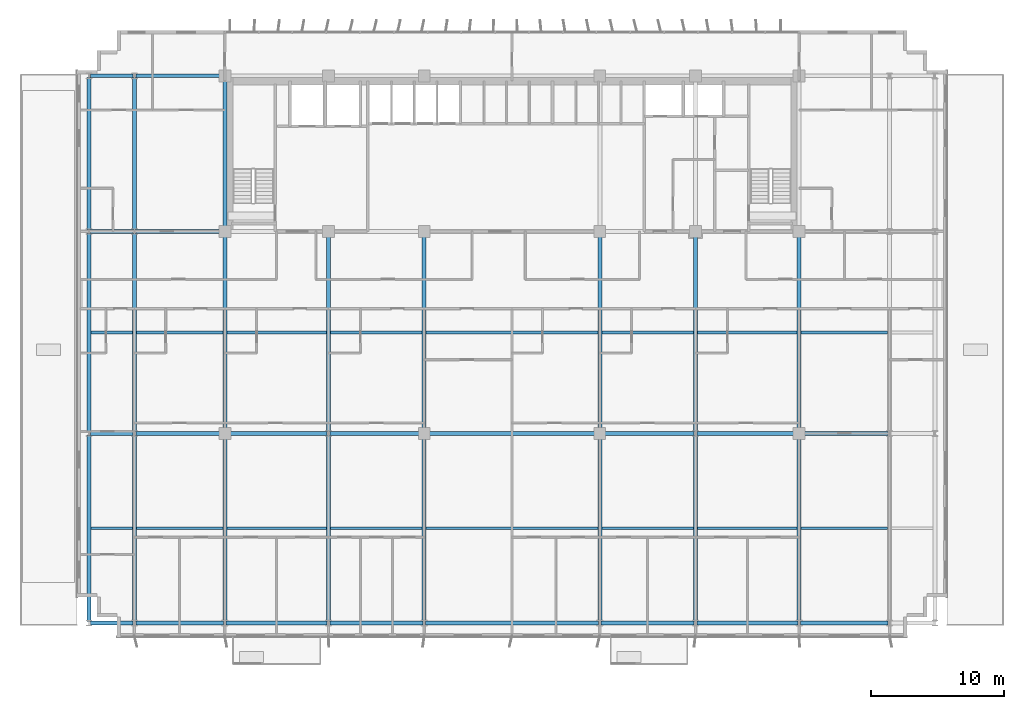
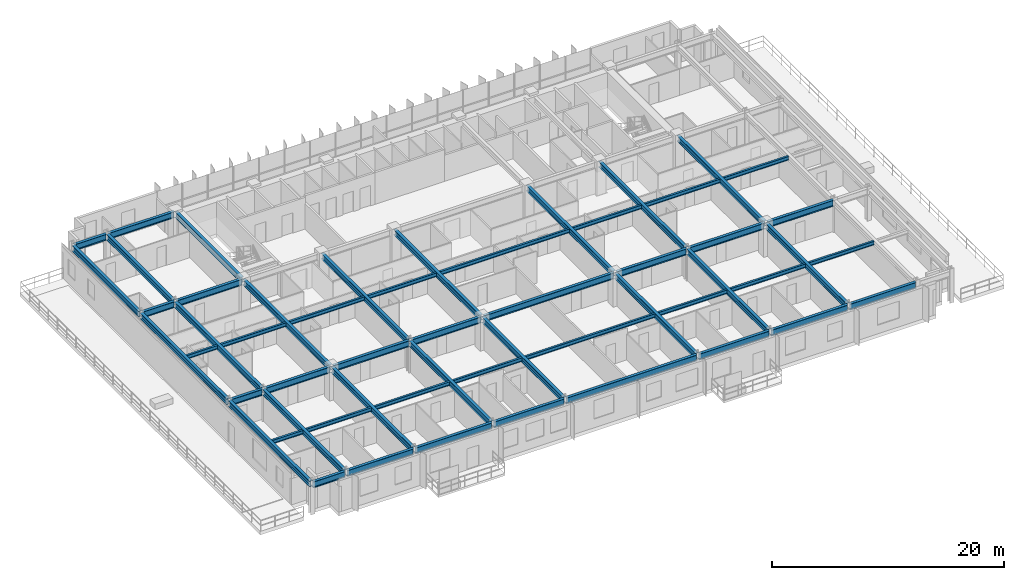
# One storey, part 3 of 26: 55 beams.
"""IFC4 building model written with IfcOpenShell, lengths in metres."""

from ifc_helpers import new_model, si_unit, direction, frame, origin, origin_2d, place, context, subcontext, project, spatial, i_section, extrude, source, transform, mapped, material, material_profile, profile_set, type_object, element, save


model = new_model("IFC4")

# Units and contexts
model_context = context("Model", 3, precision=1e-05, world=origin(), true_north=direction((0.0, 1.0)))
body_context = subcontext(model_context, "Body", "Model", "MODEL_VIEW")
ifc_project = project(units=[si_unit("LENGTHUNIT", "METRE"), si_unit("AREAUNIT", "SQUARE_METRE"), si_unit("VOLUMEUNIT", "CUBIC_METRE"), si_unit("PLANEANGLEUNIT", "RADIAN"), si_unit("MASSUNIT", "GRAM", prefix="KILO")], contexts=[model_context])

# Site, building, storey
site_placement = place(None, origin())
site = spatial("IfcSite", under=ifc_project, at=site_placement, CompositionType="ELEMENT")
building_placement = place(site_placement, origin())
building = spatial("IfcBuilding", under=site, at=building_placement, Name="Trelvane Seafront Commons", CompositionType="ELEMENT")
storey_placement = place(building_placement, frame((0.0, 0.0, 23.5)))
storey = spatial("IfcBuildingStorey", under=building, at=storey_placement, Name="L05", CompositionType="ELEMENT", Elevation=23.5)

# Beams
ifc_material = material(Name="Steel SM355 (S355)", Category="steel")
ifc_material_profile_1 = material_profile(ifc_material, i_section(OverallWidth=0.280029296875, OverallDepth=0.64990234375, WebThickness=0.012939453125, FlangeThickness=0.02197265625, at=origin_2d()), Name="H-650x280x13x22")
ifc_profile_set_1 = profile_set([ifc_material_profile_1], Name="Steel SM355 (S355)")
beam_type_1 = type_object("IfcBeamType", Name="STR-BM-H650", PredefinedType="BEAM", material=ifc_profile_set_1)
shared_shape_1 = source(origin(), body_context, "Body", "SweptSolid", [
    extrude(i_section(OverallWidth=0.280029296875, OverallDepth=0.64990234375, WebThickness=0.012939453125, FlangeThickness=0.02197265625, at=origin_2d()), origin(), (0.0, 0.0, 1.0), 3.190185546875),
])
for number, where, z_axis, x_axis, name in (
    (1, (5.5048828125, 3.949951171875, 3.014892578125), (1.0, 0.0, 0.0), (0.0, 1.0, 0.0), "L05 Primary Girder G-01"),
    (2, (5.5048828125, 18.199951171875, 3.014892578125), (1.0, 0.0, 0.0), (0.0, 1.0, 0.0), "L05 Primary Girder G-10"),
    (3, (5.5048828125, 33.39990234375, 3.014892578125), (1.0, 0.0, 0.0), (0.0, 1.0, 0.0), "L05 Primary Girder G-19"),
    (4, (5.5048828125, 45.10009765625, 3.014892578125), (1.0, 0.0, 0.0), (0.0, 1.0, 0.0), "L05 Primary Girder G-28"),
):
    element("IfcBeam", number, at=place(storey_placement, frame(where, z_axis=z_axis, x_axis=x_axis)), inside=storey, type_object=beam_type_1, Name=name, PredefinedType="BEAM", context=body_context, shape_type="MappedRepresentation", body=[
        mapped(shared_shape_1, transform((0.0, 0.0, 0.0), x_axis=(1.0, 0.0, 0.0), y_axis=(0.0, 1.0, 0.0), z_axis=(0.0, 0.0, 1.0), scale=1.0)),
    ])
shared_shape_2 = source(origin(), body_context, "Body", "SweptSolid", [
    extrude(i_section(OverallWidth=0.280029296875, OverallDepth=0.64990234375, WebThickness=0.012939453125, FlangeThickness=0.02197265625, at=origin_2d()), origin(), (0.0, 0.0, 1.0), 6.590087890625),
])
for number, where, z_axis, x_axis, name in (
    (5, (8.905029296875, 3.949951171875, 3.014892578125), (1.0, 0.0, 0.0), (0.0, 1.0, 0.0), "L05 Primary Girder G-02"),
    (6, (58.905029296875, 3.949951171875, 3.014892578125), (1.0, 0.0, 0.0), (0.0, 1.0, 0.0), "L05 Primary Girder G-08"),
):
    element("IfcBeam", number, at=place(storey_placement, frame(where, z_axis=z_axis, x_axis=x_axis)), inside=storey, type_object=beam_type_1, Name=name, PredefinedType="BEAM", context=body_context, shape_type="MappedRepresentation", body=[
        mapped(shared_shape_2, transform((0.0, 0.0, 0.0), x_axis=(1.0, 0.0, 0.0), y_axis=(0.0, 1.0, 0.0), z_axis=(0.0, 0.0, 1.0), scale=1.0)),
    ])
shared_shape_3 = source(origin(), body_context, "Body", "SweptSolid", [
    extrude(i_section(OverallWidth=0.280029296875, OverallDepth=0.64990234375, WebThickness=0.012939453125, FlangeThickness=0.02197265625, at=origin_2d()), origin(), (0.0, 0.0, 1.0), 7.58984375),
])
beam_1_placement = place(storey_placement, frame((15.705078125, 3.949951171875, 3.014892578125), z_axis=(1.0, 0.0, 0.0), x_axis=(0.0, 1.0, 0.0)))
element("IfcBeam", 7, at=beam_1_placement, inside=storey, type_object=beam_type_1, Name="L05 Primary Girder G-03", PredefinedType="BEAM", context=body_context, shape_type="MappedRepresentation", body=[
    mapped(shared_shape_3, transform((0.0, 0.0, 0.0), x_axis=(1.0, 0.0, 0.0), y_axis=(0.0, 1.0, 0.0), z_axis=(0.0, 0.0, 1.0), scale=1.0)),
])
shared_shape_4 = source(origin(), body_context, "Body", "SweptSolid", [
    extrude(i_section(OverallWidth=0.280029296875, OverallDepth=0.64990234375, WebThickness=0.012939453125, FlangeThickness=0.02197265625, at=origin_2d()), origin(), (0.0, 0.0, 1.0), 6.990234375),
])
beam_2_placement = place(storey_placement, frame((23.5048828125, 3.949951171875, 3.014892578125), z_axis=(1.0, 0.0, 0.0), x_axis=(0.0, 1.0, 0.0)))
element("IfcBeam", 8, at=beam_2_placement, inside=storey, type_object=beam_type_1, Name="L05 Primary Girder G-04", PredefinedType="BEAM", context=body_context, shape_type="MappedRepresentation", body=[
    mapped(shared_shape_4, transform((0.0, 0.0, 0.0), x_axis=(1.0, 0.0, 0.0), y_axis=(0.0, 1.0, 0.0), z_axis=(0.0, 0.0, 1.0), scale=1.0)),
])
shared_shape_5 = source(origin(), body_context, "Body", "SweptSolid", [
    extrude(i_section(OverallWidth=0.280029296875, OverallDepth=0.64990234375, WebThickness=0.012939453125, FlangeThickness=0.02197265625, at=origin_2d()), origin(), (0.0, 0.0, 1.0), 12.989990234375),
])
beam_3_placement = place(storey_placement, frame((30.705078125, 3.949951171875, 3.014892578125), z_axis=(1.0, 0.0, 0.0), x_axis=(0.0, 1.0, 0.0)))
element("IfcBeam", 9, at=beam_3_placement, inside=storey, type_object=beam_type_1, Name="L05 Primary Girder G-05", PredefinedType="BEAM", context=body_context, shape_type="MappedRepresentation", body=[
    mapped(shared_shape_5, transform((0.0, 0.0, 0.0), x_axis=(1.0, 0.0, 0.0), y_axis=(0.0, 1.0, 0.0), z_axis=(0.0, 0.0, 1.0), scale=1.0)),
])
shared_shape_6 = source(origin(), body_context, "Body", "SweptSolid", [
    extrude(i_section(OverallWidth=0.280029296875, OverallDepth=0.64990234375, WebThickness=0.012939453125, FlangeThickness=0.02197265625, at=origin_2d()), origin(), (0.0, 0.0, 1.0), 6.989990234375),
])
beam_4_placement = place(storey_placement, frame((43.905029296875, 3.949951171875, 3.014892578125), z_axis=(1.0, 0.0, 0.0), x_axis=(0.0, 1.0, 0.0)))
element("IfcBeam", 10, at=beam_4_placement, inside=storey, type_object=beam_type_1, Name="L05 Primary Girder G-06", PredefinedType="BEAM", context=body_context, shape_type="MappedRepresentation", body=[
    mapped(shared_shape_6, transform((0.0, 0.0, 0.0), x_axis=(1.0, 0.0, 0.0), y_axis=(0.0, 1.0, 0.0), z_axis=(0.0, 0.0, 1.0), scale=1.0)),
])
shared_shape_7 = source(origin(), body_context, "Body", "SweptSolid", [
    extrude(i_section(OverallWidth=0.280029296875, OverallDepth=0.64990234375, WebThickness=0.012939453125, FlangeThickness=0.02197265625, at=origin_2d()), origin(), (0.0, 0.0, 1.0), 7.590087890625),
])
beam_5_placement = place(storey_placement, frame((51.10498046875, 3.949951171875, 3.014892578125), z_axis=(1.0, 0.0, 0.0), x_axis=(0.0, 1.0, 0.0)))
element("IfcBeam", 11, at=beam_5_placement, inside=storey, type_object=beam_type_1, Name="L05 Primary Girder G-07", PredefinedType="BEAM", context=body_context, shape_type="MappedRepresentation", body=[
    mapped(shared_shape_7, transform((0.0, 0.0, 0.0), x_axis=(1.0, 0.0, 0.0), y_axis=(0.0, 1.0, 0.0), z_axis=(0.0, 0.0, 1.0), scale=1.0)),
])
shared_shape_8 = source(origin(), body_context, "Body", "SweptSolid", [
    extrude(i_section(OverallWidth=0.280029296875, OverallDepth=0.64990234375, WebThickness=0.012939453125, FlangeThickness=0.02197265625, at=origin_2d()), origin(), (0.0, 0.0, 1.0), 6.544921875),
])
for number, where, z_axis, x_axis, name in (
    (12, (8.905029296875, 18.199951171875, 3.014892578125), (1.0, 0.0, 0.0), (0.0, 1.0, 0.0), "L05 Primary Girder G-11"),
    (13, (8.905029296875, 33.39990234375, 3.014892578125), (1.0, 0.0, 0.0), (0.0, 1.0, 0.0), "L05 Primary Girder G-20"),
    (14, (8.905029296875, 45.10009765625, 3.014892578125), (1.0, 0.0, 0.0), (0.0, 1.0, 0.0), "L05 Primary Girder G-29"),
):
    element("IfcBeam", number, at=place(storey_placement, frame(where, z_axis=z_axis, x_axis=x_axis)), inside=storey, type_object=beam_type_1, Name=name, PredefinedType="BEAM", context=body_context, shape_type="MappedRepresentation", body=[
        mapped(shared_shape_8, transform((0.0, 0.0, 0.0), x_axis=(1.0, 0.0, 0.0), y_axis=(0.0, 1.0, 0.0), z_axis=(0.0, 0.0, 1.0), scale=1.0)),
    ])
shared_shape_9 = source(origin(), body_context, "Body", "SweptSolid", [
    extrude(i_section(OverallWidth=0.280029296875, OverallDepth=0.64990234375, WebThickness=0.012939453125, FlangeThickness=0.02197265625, at=origin_2d()), origin(), (0.0, 0.0, 1.0), 7.544921875),
])
for number, where, z_axis, x_axis, name in (
    (15, (15.75, 18.199951171875, 3.014892578125), (1.0, 0.0, 0.0), (0.0, 1.0, 0.0), "L05 Primary Girder G-12"),
    (16, (51.10498046875, 18.199951171875, 3.014892578125), (1.0, 0.0, 0.0), (0.0, 1.0, 0.0), "L05 Primary Girder G-16"),
):
    element("IfcBeam", number, at=place(storey_placement, frame(where, z_axis=z_axis, x_axis=x_axis)), inside=storey, type_object=beam_type_1, Name=name, PredefinedType="BEAM", context=body_context, shape_type="MappedRepresentation", body=[
        mapped(shared_shape_9, transform((0.0, 0.0, 0.0), x_axis=(1.0, 0.0, 0.0), y_axis=(0.0, 1.0, 0.0), z_axis=(0.0, 0.0, 1.0), scale=1.0)),
    ])
shared_shape_10 = source(origin(), body_context, "Body", "SweptSolid", [
    extrude(i_section(OverallWidth=0.280029296875, OverallDepth=0.64990234375, WebThickness=0.012939453125, FlangeThickness=0.02197265625, at=origin_2d()), origin(), (0.0, 0.0, 1.0), 6.945068359375),
])
for number, where, z_axis, x_axis, name in (
    (17, (23.5048828125, 18.199951171875, 3.014892578125), (1.0, 0.0, 0.0), (0.0, 1.0, 0.0), "L05 Primary Girder G-13"),
    (18, (43.949951171875, 18.199951171875, 3.014892578125), (1.0, 0.0, 0.0), (0.0, 1.0, 0.0), "L05 Primary Girder G-15"),
):
    element("IfcBeam", number, at=place(storey_placement, frame(where, z_axis=z_axis, x_axis=x_axis)), inside=storey, type_object=beam_type_1, Name=name, PredefinedType="BEAM", context=body_context, shape_type="MappedRepresentation", body=[
        mapped(shared_shape_10, transform((0.0, 0.0, 0.0), x_axis=(1.0, 0.0, 0.0), y_axis=(0.0, 1.0, 0.0), z_axis=(0.0, 0.0, 1.0), scale=1.0)),
    ])
shared_shape_11 = source(origin(), body_context, "Body", "SweptSolid", [
    extrude(i_section(OverallWidth=0.280029296875, OverallDepth=0.64990234375, WebThickness=0.012939453125, FlangeThickness=0.02197265625, at=origin_2d()), origin(), (0.0, 0.0, 1.0), 12.89990234375),
])
beam_6_placement = place(storey_placement, frame((30.75, 18.199951171875, 3.014892578125), z_axis=(1.0, 0.0, 0.0), x_axis=(0.0, 1.0, 0.0)))
element("IfcBeam", 19, at=beam_6_placement, inside=storey, type_object=beam_type_1, Name="L05 Primary Girder G-14", PredefinedType="BEAM", context=body_context, shape_type="MappedRepresentation", body=[
    mapped(shared_shape_11, transform((0.0, 0.0, 0.0), x_axis=(1.0, 0.0, 0.0), y_axis=(0.0, 1.0, 0.0), z_axis=(0.0, 0.0, 1.0), scale=1.0)),
])
shared_shape_12 = source(origin(), body_context, "Body", "SweptSolid", [
    extrude(i_section(OverallWidth=0.280029296875, OverallDepth=0.64990234375, WebThickness=0.012939453125, FlangeThickness=0.02197265625, at=origin_2d()), origin(), (0.0, 0.0, 1.0), 6.545166015625),
])
beam_7_placement = place(storey_placement, frame((58.949951171875, 18.199951171875, 3.014892578125), z_axis=(1.0, 0.0, 0.0), x_axis=(0.0, 1.0, 0.0)))
element("IfcBeam", 20, at=beam_7_placement, inside=storey, type_object=beam_type_1, Name="L05 Primary Girder G-17", PredefinedType="BEAM", context=body_context, shape_type="MappedRepresentation", body=[
    mapped(shared_shape_12, transform((0.0, 0.0, 0.0), x_axis=(1.0, 0.0, 0.0), y_axis=(0.0, 1.0, 0.0), z_axis=(0.0, 0.0, 1.0), scale=1.0)),
])
ifc_material_profile_2 = material_profile(ifc_material, i_section(OverallWidth=0.300048828125, OverallDepth=0.587890625, WebThickness=0.011962890625, FlangeThickness=0.02001953125, at=origin_2d()), Name="H-588x300x12x20")
ifc_profile_set_2 = profile_set([ifc_material_profile_2], Name="Steel SM355 (S355)")
beam_type_2 = type_object("IfcBeamType", Name="STR-BM-H588", PredefinedType="BEAM", material=ifc_profile_set_2)
shared_shape_13 = source(origin(), body_context, "Body", "SweptSolid", [
    extrude(i_section(OverallWidth=0.300048828125, OverallDepth=0.587890625, WebThickness=0.011962890625, FlangeThickness=0.02001953125, at=origin_2d()), origin(), (0.0, 0.0, 1.0), 14.0400390625),
])
for number, where, z_axis, x_axis, name in (
    (21, (5.39990234375, 4.054931640625, 3.0458984375), (0.0, 1.0, 0.0), (-1.0, 0.0, 0.0), "L05 Primary Girder G-37"),
    (22, (8.800048828125, 4.054931640625, 3.0458984375), (0.0, 1.0, 0.0), (-1.0, 0.0, 0.0), "L05 Primary Girder G-40"),
    (23, (23.39990234375, 4.054931640625, 3.0458984375), (0.0, 1.0, 0.0), (-1.0, 0.0, 0.0), "L05 Primary Girder G-46"),
    (24, (51.0, 4.054931640625, 3.0458984375), (0.0, 1.0, 0.0), (-1.0, 0.0, 0.0), "L05 Primary Girder G-55"),
):
    element("IfcBeam", number, at=place(storey_placement, frame(where, z_axis=z_axis, x_axis=x_axis)), inside=storey, type_object=beam_type_2, Name=name, PredefinedType="BEAM", context=body_context, shape_type="MappedRepresentation", body=[
        mapped(shared_shape_13, transform((0.0, 0.0, 0.0), x_axis=(1.0, 0.0, 0.0), y_axis=(0.0, 1.0, 0.0), z_axis=(0.0, 0.0, 1.0), scale=1.0)),
    ])
shared_shape_14 = source(origin(), body_context, "Body", "SweptSolid", [
    extrude(i_section(OverallWidth=0.300048828125, OverallDepth=0.587890625, WebThickness=0.011962890625, FlangeThickness=0.02001953125, at=origin_2d()), origin(), (0.0, 0.0, 1.0), 14.989990234375),
])
for number, where, z_axis, x_axis, name in (
    (25, (5.39990234375, 18.304931640625, 3.0458984375), (0.0, 1.0, 0.0), (-1.0, 0.0, 0.0), "L05 Primary Girder G-38"),
    (26, (8.800048828125, 18.304931640625, 3.0458984375), (0.0, 1.0, 0.0), (-1.0, 0.0, 0.0), "L05 Primary Girder G-41"),
):
    element("IfcBeam", number, at=place(storey_placement, frame(where, z_axis=z_axis, x_axis=x_axis)), inside=storey, type_object=beam_type_2, Name=name, PredefinedType="BEAM", context=body_context, shape_type="MappedRepresentation", body=[
        mapped(shared_shape_14, transform((0.0, 0.0, 0.0), x_axis=(1.0, 0.0, 0.0), y_axis=(0.0, 1.0, 0.0), z_axis=(0.0, 0.0, 1.0), scale=1.0)),
    ])
shared_shape_15 = source(origin(), body_context, "Body", "SweptSolid", [
    extrude(i_section(OverallWidth=0.300048828125, OverallDepth=0.587890625, WebThickness=0.011962890625, FlangeThickness=0.02001953125, at=origin_2d()), origin(), (0.0, 0.0, 1.0), 11.490234375),
])
for number, where, z_axis, x_axis, name in (
    (27, (5.39990234375, 33.5048828125, 3.0458984375), (0.0, 1.0, 0.0), (-1.0, 0.0, 0.0), "L05 Primary Girder G-39"),
    (28, (8.800048828125, 33.5048828125, 3.0458984375), (0.0, 1.0, 0.0), (-1.0, 0.0, 0.0), "L05 Primary Girder G-42"),
):
    element("IfcBeam", number, at=place(storey_placement, frame(where, z_axis=z_axis, x_axis=x_axis)), inside=storey, type_object=beam_type_2, Name=name, PredefinedType="BEAM", context=body_context, shape_type="MappedRepresentation", body=[
        mapped(shared_shape_15, transform((0.0, 0.0, 0.0), x_axis=(1.0, 0.0, 0.0), y_axis=(0.0, 1.0, 0.0), z_axis=(0.0, 0.0, 1.0), scale=1.0)),
    ])
shared_shape_16 = source(origin(), body_context, "Body", "SweptSolid", [
    extrude(i_section(OverallWidth=0.300048828125, OverallDepth=0.587890625, WebThickness=0.011962890625, FlangeThickness=0.02001953125, at=origin_2d()), origin(), (0.0, 0.0, 1.0), 13.9951171875),
])
for number, where, z_axis, x_axis, name in (
    (29, (15.60009765625, 4.054931640625, 3.0458984375), (0.0, 1.0, 0.0), (-1.0, 0.0, 0.0), "L05 Primary Girder G-43"),
    (30, (30.60009765625, 4.054931640625, 3.0458984375), (0.0, 1.0, 0.0), (-1.0, 0.0, 0.0), "L05 Primary Girder G-49"),
    (31, (43.800048828125, 4.054931640625, 3.0458984375), (0.0, 1.0, 0.0), (-1.0, 0.0, 0.0), "L05 Primary Girder G-52"),
    (32, (58.800048828125, 4.054931640625, 3.0458984375), (0.0, 1.0, 0.0), (-1.0, 0.0, 0.0), "L05 Primary Girder G-58"),
):
    element("IfcBeam", number, at=place(storey_placement, frame(where, z_axis=z_axis, x_axis=x_axis)), inside=storey, type_object=beam_type_2, Name=name, PredefinedType="BEAM", context=body_context, shape_type="MappedRepresentation", body=[
        mapped(shared_shape_16, transform((0.0, 0.0, 0.0), x_axis=(1.0, 0.0, 0.0), y_axis=(0.0, 1.0, 0.0), z_axis=(0.0, 0.0, 1.0), scale=1.0)),
    ])
shared_shape_17 = source(origin(), body_context, "Body", "SweptSolid", [
    extrude(i_section(OverallWidth=0.300048828125, OverallDepth=0.587890625, WebThickness=0.011962890625, FlangeThickness=0.02001953125, at=origin_2d()), origin(), (0.0, 0.0, 1.0), 14.89990234375),
])
for number, where, z_axis, x_axis, name in (
    (33, (15.60009765625, 18.35009765625, 3.0458984375), (0.0, 1.0, 0.0), (-1.0, 0.0, 0.0), "L05 Primary Girder G-44"),
    (34, (30.60009765625, 18.35009765625, 3.0458984375), (0.0, 1.0, 0.0), (-1.0, 0.0, 0.0), "L05 Primary Girder G-50"),
    (35, (43.800048828125, 18.35009765625, 3.0458984375), (0.0, 1.0, 0.0), (-1.0, 0.0, 0.0), "L05 Primary Girder G-53"),
    (36, (58.800048828125, 18.35009765625, 3.0458984375), (0.0, 1.0, 0.0), (-1.0, 0.0, 0.0), "L05 Primary Girder G-59"),
):
    element("IfcBeam", number, at=place(storey_placement, frame(where, z_axis=z_axis, x_axis=x_axis)), inside=storey, type_object=beam_type_2, Name=name, PredefinedType="BEAM", context=body_context, shape_type="MappedRepresentation", body=[
        mapped(shared_shape_17, transform((0.0, 0.0, 0.0), x_axis=(1.0, 0.0, 0.0), y_axis=(0.0, 1.0, 0.0), z_axis=(0.0, 0.0, 1.0), scale=1.0)),
    ])
shared_shape_18 = source(origin(), body_context, "Body", "SweptSolid", [
    extrude(i_section(OverallWidth=0.300048828125, OverallDepth=0.587890625, WebThickness=0.011962890625, FlangeThickness=0.02001953125, at=origin_2d()), origin(), (0.0, 0.0, 1.0), 11.39990234375),
])
beam_8_placement = place(storey_placement, frame((15.60009765625, 33.550048828125, 3.0458984375), z_axis=(0.0, 1.0, 0.0), x_axis=(-1.0, 0.0, 0.0)))
element("IfcBeam", 37, at=beam_8_placement, inside=storey, type_object=beam_type_2, Name="L05 Primary Girder G-45", PredefinedType="BEAM", context=body_context, shape_type="MappedRepresentation", body=[
    mapped(shared_shape_18, transform((0.0, 0.0, 0.0), x_axis=(1.0, 0.0, 0.0), y_axis=(0.0, 1.0, 0.0), z_axis=(0.0, 0.0, 1.0), scale=1.0)),
])
shared_shape_19 = source(origin(), body_context, "Body", "SweptSolid", [
    extrude(i_section(OverallWidth=0.300048828125, OverallDepth=0.587890625, WebThickness=0.011962890625, FlangeThickness=0.02001953125, at=origin_2d()), origin(), (0.0, 0.0, 1.0), 14.945068359375),
])
for number, where, z_axis, x_axis, name in (
    (38, (23.39990234375, 18.304931640625, 3.0458984375), (0.0, 1.0, 0.0), (-1.0, 0.0, 0.0), "L05 Primary Girder G-47"),
    (39, (51.0, 18.304931640625, 3.0458984375), (0.0, 1.0, 0.0), (-1.0, 0.0, 0.0), "L05 Primary Girder G-56"),
):
    element("IfcBeam", number, at=place(storey_placement, frame(where, z_axis=z_axis, x_axis=x_axis)), inside=storey, type_object=beam_type_2, Name=name, PredefinedType="BEAM", context=body_context, shape_type="MappedRepresentation", body=[
        mapped(shared_shape_19, transform((0.0, 0.0, 0.0), x_axis=(1.0, 0.0, 0.0), y_axis=(0.0, 1.0, 0.0), z_axis=(0.0, 0.0, 1.0), scale=1.0)),
    ])
ifc_material_profile_3 = material_profile(ifc_material, i_section(OverallWidth=0.199951171875, OverallDepth=0.39990234375, WebThickness=0.008056640625, FlangeThickness=0.012939453125, at=origin_2d()), Name="H-400x200x8x13")
ifc_profile_set_3 = profile_set([ifc_material_profile_3], Name="Steel SM355 (S355)")
beam_type_3 = type_object("IfcBeamType", Name="STR-JST-H400", PredefinedType="JOIST", material=ifc_profile_set_3)
shared_shape_20 = source(origin(), body_context, "Body", "SweptSolid", [
    extrude(i_section(OverallWidth=0.199951171875, OverallDepth=0.39990234375, WebThickness=0.008056640625, FlangeThickness=0.012939453125, at=origin_2d()), origin(), (0.0, 0.0, 1.0), 3.099853515625),
])
for number, where, z_axis, x_axis, name in (
    (40, (5.550048828125, 11.074951171875, 3.139892578125), (1.0, 0.0, 0.0), (0.0, 1.0, 0.0), "L05 Secondary Floor Joist B-67"),
    (41, (5.550048828125, 25.800048828125, 3.139892578125), (1.0, 0.0, 0.0), (0.0, 1.0, 0.0), "L05 Secondary Floor Joist B-76"),
):
    element("IfcBeam", number, at=place(storey_placement, frame(where, z_axis=z_axis, x_axis=x_axis)), inside=storey, type_object=beam_type_3, Name=name, PredefinedType="JOIST", context=body_context, shape_type="MappedRepresentation", body=[
        mapped(shared_shape_20, transform((0.0, 0.0, 0.0), x_axis=(1.0, 0.0, 0.0), y_axis=(0.0, 1.0, 0.0), z_axis=(0.0, 0.0, 1.0), scale=1.0)),
    ])
shared_shape_21 = source(origin(), body_context, "Body", "SweptSolid", [
    extrude(i_section(OverallWidth=0.199951171875, OverallDepth=0.39990234375, WebThickness=0.008056640625, FlangeThickness=0.012939453125, at=origin_2d()), origin(), (0.0, 0.0, 1.0), 6.5),
])
for number, where, z_axis, x_axis, name in (
    (42, (8.949951171875, 11.074951171875, 3.139892578125), (1.0, 0.0, 0.0), (0.0, 1.0, 0.0), "L05 Secondary Floor Joist B-68"),
    (43, (58.949951171875, 11.074951171875, 3.139892578125), (1.0, 0.0, 0.0), (0.0, 1.0, 0.0), "L05 Secondary Floor Joist B-74"),
    (44, (8.949951171875, 25.800048828125, 3.139892578125), (1.0, 0.0, 0.0), (0.0, 1.0, 0.0), "L05 Secondary Floor Joist B-77"),
    (45, (58.949951171875, 25.800048828125, 3.139892578125), (1.0, 0.0, 0.0), (0.0, 1.0, 0.0), "L05 Secondary Floor Joist B-83"),
):
    element("IfcBeam", number, at=place(storey_placement, frame(where, z_axis=z_axis, x_axis=x_axis)), inside=storey, type_object=beam_type_3, Name=name, PredefinedType="JOIST", context=body_context, shape_type="MappedRepresentation", body=[
        mapped(shared_shape_21, transform((0.0, 0.0, 0.0), x_axis=(1.0, 0.0, 0.0), y_axis=(0.0, 1.0, 0.0), z_axis=(0.0, 0.0, 1.0), scale=1.0)),
    ])
shared_shape_22 = source(origin(), body_context, "Body", "SweptSolid", [
    extrude(i_section(OverallWidth=0.199951171875, OverallDepth=0.39990234375, WebThickness=0.008056640625, FlangeThickness=0.012939453125, at=origin_2d()), origin(), (0.0, 0.0, 1.0), 7.5),
])
for number, where, z_axis, x_axis, name in (
    (46, (15.75, 11.074951171875, 3.139892578125), (1.0, 0.0, 0.0), (0.0, 1.0, 0.0), "L05 Secondary Floor Joist B-69"),
    (47, (51.14990234375, 11.074951171875, 3.139892578125), (1.0, 0.0, 0.0), (0.0, 1.0, 0.0), "L05 Secondary Floor Joist B-73"),
    (48, (15.75, 25.800048828125, 3.139892578125), (1.0, 0.0, 0.0), (0.0, 1.0, 0.0), "L05 Secondary Floor Joist B-78"),
    (49, (51.14990234375, 25.800048828125, 3.139892578125), (1.0, 0.0, 0.0), (0.0, 1.0, 0.0), "L05 Secondary Floor Joist B-82"),
):
    element("IfcBeam", number, at=place(storey_placement, frame(where, z_axis=z_axis, x_axis=x_axis)), inside=storey, type_object=beam_type_3, Name=name, PredefinedType="JOIST", context=body_context, shape_type="MappedRepresentation", body=[
        mapped(shared_shape_22, transform((0.0, 0.0, 0.0), x_axis=(1.0, 0.0, 0.0), y_axis=(0.0, 1.0, 0.0), z_axis=(0.0, 0.0, 1.0), scale=1.0)),
    ])
shared_shape_23 = source(origin(), body_context, "Body", "SweptSolid", [
    extrude(i_section(OverallWidth=0.199951171875, OverallDepth=0.39990234375, WebThickness=0.008056640625, FlangeThickness=0.012939453125, at=origin_2d()), origin(), (0.0, 0.0, 1.0), 6.89990234375),
])
for number, where, z_axis, x_axis, name in (
    (50, (23.550048828125, 11.074951171875, 3.139892578125), (1.0, 0.0, 0.0), (0.0, 1.0, 0.0), "L05 Secondary Floor Joist B-70"),
    (51, (23.550048828125, 25.800048828125, 3.139892578125), (1.0, 0.0, 0.0), (0.0, 1.0, 0.0), "L05 Secondary Floor Joist B-79"),
):
    element("IfcBeam", number, at=place(storey_placement, frame(where, z_axis=z_axis, x_axis=x_axis)), inside=storey, type_object=beam_type_3, Name=name, PredefinedType="JOIST", context=body_context, shape_type="MappedRepresentation", body=[
        mapped(shared_shape_23, transform((0.0, 0.0, 0.0), x_axis=(1.0, 0.0, 0.0), y_axis=(0.0, 1.0, 0.0), z_axis=(0.0, 0.0, 1.0), scale=1.0)),
    ])
shared_shape_24 = source(origin(), body_context, "Body", "SweptSolid", [
    extrude(i_section(OverallWidth=0.199951171875, OverallDepth=0.39990234375, WebThickness=0.008056640625, FlangeThickness=0.012939453125, at=origin_2d()), origin(), (0.0, 0.0, 1.0), 12.89990234375),
])
for number, where, z_axis, x_axis, name in (
    (52, (30.75, 11.074951171875, 3.139892578125), (1.0, 0.0, 0.0), (0.0, 1.0, 0.0), "L05 Secondary Floor Joist B-71"),
    (53, (30.75, 25.800048828125, 3.139892578125), (1.0, 0.0, 0.0), (0.0, 1.0, 0.0), "L05 Secondary Floor Joist B-80"),
):
    element("IfcBeam", number, at=place(storey_placement, frame(where, z_axis=z_axis, x_axis=x_axis)), inside=storey, type_object=beam_type_3, Name=name, PredefinedType="JOIST", context=body_context, shape_type="MappedRepresentation", body=[
        mapped(shared_shape_24, transform((0.0, 0.0, 0.0), x_axis=(1.0, 0.0, 0.0), y_axis=(0.0, 1.0, 0.0), z_axis=(0.0, 0.0, 1.0), scale=1.0)),
    ])
shared_shape_25 = source(origin(), body_context, "Body", "SweptSolid", [
    extrude(i_section(OverallWidth=0.199951171875, OverallDepth=0.39990234375, WebThickness=0.008056640625, FlangeThickness=0.012939453125, at=origin_2d()), origin(), (0.0, 0.0, 1.0), 6.900146484375),
])
for number, where, z_axis, x_axis, name in (
    (54, (43.949951171875, 11.074951171875, 3.139892578125), (1.0, 0.0, 0.0), (0.0, 1.0, 0.0), "L05 Secondary Floor Joist B-72"),
    (55, (43.949951171875, 25.800048828125, 3.139892578125), (1.0, 0.0, 0.0), (0.0, 1.0, 0.0), "L05 Secondary Floor Joist B-81"),
):
    element("IfcBeam", number, at=place(storey_placement, frame(where, z_axis=z_axis, x_axis=x_axis)), inside=storey, type_object=beam_type_3, Name=name, PredefinedType="JOIST", context=body_context, shape_type="MappedRepresentation", body=[
        mapped(shared_shape_25, transform((0.0, 0.0, 0.0), x_axis=(1.0, 0.0, 0.0), y_axis=(0.0, 1.0, 0.0), z_axis=(0.0, 0.0, 1.0), scale=1.0)),
    ])

save(model, "model.ifc")
